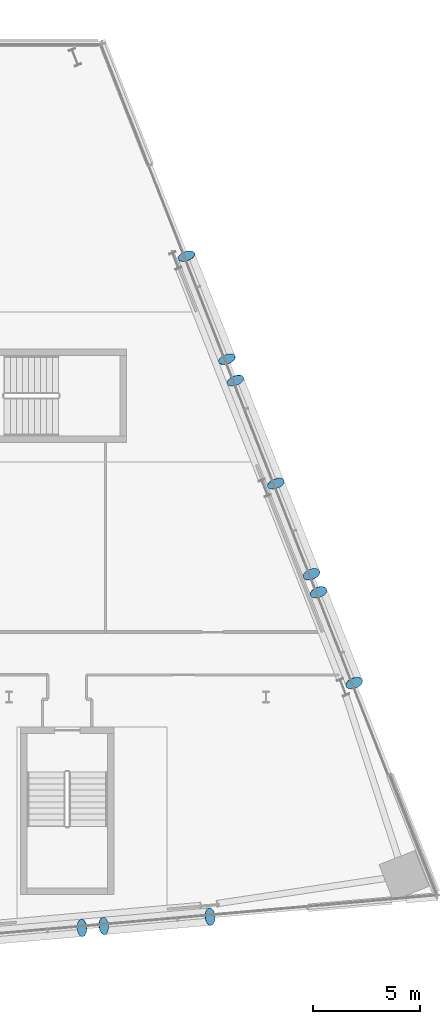
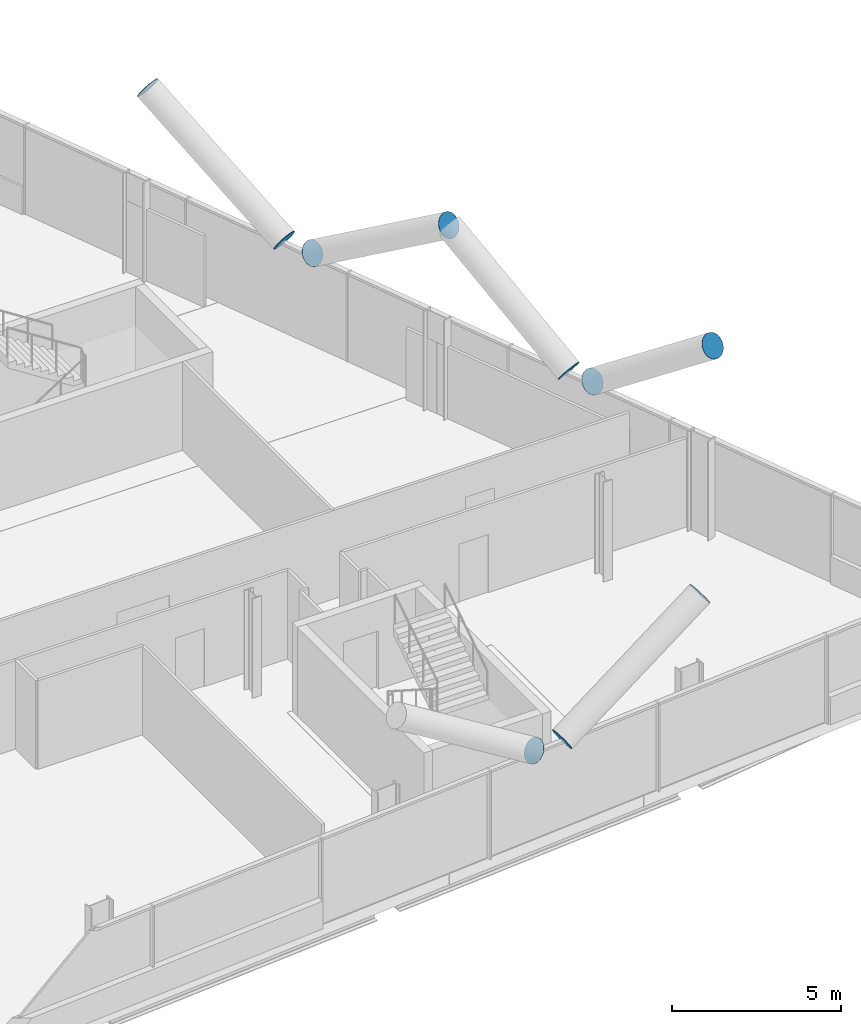
# One storey, part 23 of 27: 10 discrete accessories.
"""IFC4 building model written with IfcOpenShell, lengths in metres."""

from ifc_helpers import new_model, si_unit, direction, frame, origin, origin_2d, place, context, subcontext, project, spatial, circle, extrude, material, material_profile, profile_set, type_object, element, save


model = new_model("IFC4")

# Units and contexts
model_context = context("Model", 3, precision=1e-05, world=origin(), true_north=direction((0.0, 1.0)))
body_context = subcontext(model_context, "Body", "Model", "MODEL_VIEW")
ifc_project = project(units=[si_unit("LENGTHUNIT", "METRE"), si_unit("AREAUNIT", "SQUARE_METRE"), si_unit("VOLUMEUNIT", "CUBIC_METRE"), si_unit("PLANEANGLEUNIT", "RADIAN"), si_unit("MASSUNIT", "GRAM", prefix="KILO")], contexts=[model_context])

# Site, building, storey
site_placement = place(None, origin())
site = spatial("IfcSite", under=ifc_project, at=site_placement, CompositionType="ELEMENT")
building_placement = place(site_placement, origin())
building = spatial("IfcBuilding", under=site, at=building_placement, Name="Wharfspan Tower", CompositionType="ELEMENT")
storey_placement = place(building_placement, frame((0.0, 0.0, 139.899902)))
storey = spatial("IfcBuildingStorey", under=building, at=storey_placement, Name="L33", CompositionType="ELEMENT", Elevation=139.899902)

# Discrete accessories
ifc_material = material(Name="Steel S460NH", Category="steel")
ifc_material_profile = material_profile(ifc_material, circle(Radius=0.406494, at=origin_2d()))
ifc_profile_set = profile_set([ifc_material_profile], Name="Steel S460NH")
discrete_accessory_type = type_object("IfcDiscreteAccessoryType", Name="End plate CHS 813x40", PredefinedType="BRACKET", material=ifc_profile_set)
for number, where, z_axis, x_axis, name in (
    (1, (76.418457, 0.821777, 3.232422), (0.844416, 0.072379, 0.530776), (-0.085402, 0.99635, 0.0), "End plate CHS 813x40"),
    (2, (81.376221, 1.255371, 6.5), (0.82608, 0.072889, 0.558819), (-0.087894, 0.99613, 1e-06), "End plate CHS 813x40"),
    (3, (75.410156, 0.733398, 3.232422), (-0.838548, -0.049326, 0.54259), (0.058722, -0.99827, 1e-06), "End plate CHS 813x40"),
    (4, (82.171143, 27.249756, 3.236328), (-0.289598, 0.796395, 0.53093), (-0.939792, -0.341743, 1e-06), "End plate CHS 813x40"),
    (5, (80.282471, 32.05542, 6.5), (-0.289598, 0.796395, 0.53093), (-0.939792, -0.341743, 1e-06), "End plate CHS 813x40"),
    (6, (82.560303, 26.259521, 3.236328), (0.317451, -0.781418, 0.537225), (0.92647, 0.376377, -2e-06), "End plate CHS 813x40"),
):
    element("IfcDiscreteAccessory", number, at=place(storey_placement, frame(where, z_axis=z_axis, x_axis=x_axis)), inside=storey, type_object=discrete_accessory_type, Name=name, PredefinedType="BRACKET", context=body_context, shape_type="SweptSolid", body=[
        extrude(circle(Radius=0.406494, at=origin_2d()), origin(), (0.0, 0.0, 1.0), 0.01001),
    ])
discrete_accessory_placement = place(storey_placement, frame((84.448975, 21.454102, 6.5), z_axis=(0.311472, -0.79066, 0.527107), x_axis=(0.93041, 0.366525, 0.0)))
element("IfcDiscreteAccessory", 7, at=discrete_accessory_placement, inside=storey, type_object=discrete_accessory_type, Name="End plate CHS 813x40", PredefinedType="BRACKET", context=body_context, shape_type="SweptSolid", body=[
    extrude(circle(Radius=0.406494, at=origin_2d()), origin(), (0.0, 0.0, 1.0), 0.010254),
])
for number, where, z_axis, x_axis, name in (
    (8, (86.112793, 17.220459, 3.221924), (-0.292683, 0.756098, 0.585366), (-0.932565, -0.360992, -1e-06), "End plate CHS 813x40"),
    (9, (86.439697, 16.388916, 3.221924), (0.292683, -0.756098, 0.585366), (0.932565, 0.360992, -1e-06), "End plate CHS 813x40"),
    (10, (88.103516, 12.155518, 6.5), (0.292683, -0.756098, 0.585366), (0.932565, 0.360992, -1e-06), "End plate CHS 813x40"),
):
    element("IfcDiscreteAccessory", number, at=place(storey_placement, frame(where, z_axis=z_axis, x_axis=x_axis)), inside=storey, type_object=discrete_accessory_type, Name=name, PredefinedType="BRACKET", context=body_context, shape_type="SweptSolid", body=[
        extrude(circle(Radius=0.406494, at=origin_2d()), origin(), (0.0, 0.0, 1.0), 0.01001),
    ])

save(model, "model.ifc")
